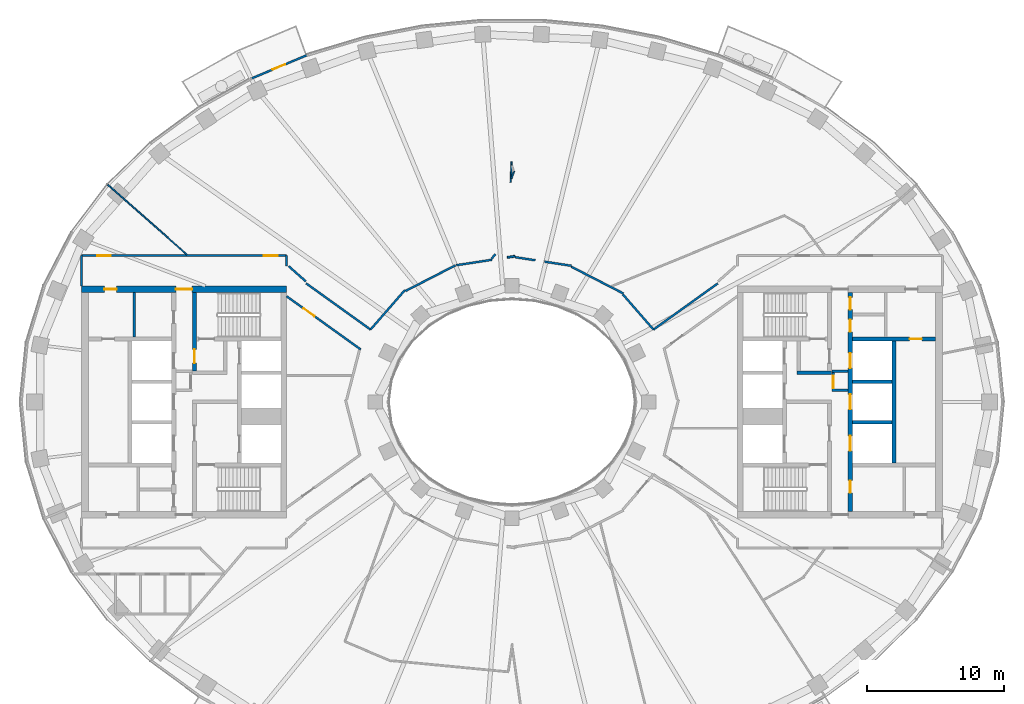
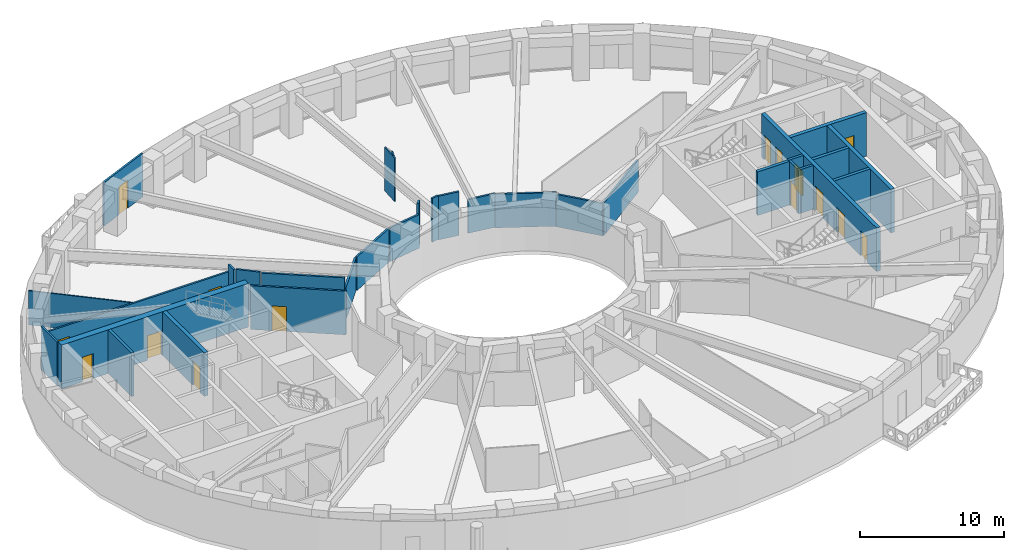
# One storey, part 6 of 15: 32 walls, 15 doors, 15 openings.
"""IFC4 building model written with IfcOpenShell, lengths in metres."""

from ifc_helpers import new_model, si_unit, direction, frame, frame_2d, origin, place, context, subcontext, project, spatial, rectangle, extrude, material, layer, layer_set, type_object, element, fill, save


model = new_model("IFC4")

# Units and contexts
model_context = context("Model", 3, precision=1e-05, world=origin(), true_north=direction((0.0, 1.0)))
body_context = subcontext(model_context, "Body", "Model", "MODEL_VIEW")
ifc_project = project(units=[si_unit("LENGTHUNIT", "METRE"), si_unit("AREAUNIT", "SQUARE_METRE"), si_unit("VOLUMEUNIT", "CUBIC_METRE"), si_unit("PLANEANGLEUNIT", "RADIAN"), si_unit("MASSUNIT", "GRAM", prefix="KILO")], contexts=[model_context])

# Site, building, storey
site_placement = place(None, origin())
site = spatial("IfcSite", under=ifc_project, at=site_placement, CompositionType="ELEMENT")
building_placement = place(site_placement, origin())
building = spatial("IfcBuilding", under=site, at=building_placement, Name="Noorbagh Ring Tower", CompositionType="ELEMENT")
storey_placement = place(building_placement, frame((0.0, 0.0, 182.0)))
storey = spatial("IfcBuildingStorey", under=building, at=storey_placement, Name="L42", CompositionType="ELEMENT", Elevation=182.0)

# Walls
ifc_material_1 = material(Name="Gypsum board on steel studs", Category="steel")
ifc_layer_1 = layer(ifc_material_1, 0.199951171875)
ifc_layer_set_1 = layer_set([ifc_layer_1], Name="Gypsum board on steel studs")
wall_type_1 = type_object("IfcWallType", Name="CORE-PARTITION-200", PredefinedType="PARTITIONING", material=ifc_layer_set_1)
wall_1_placement = place(storey_placement, frame((-27.64990234375, 4.75, 0.0), z_axis=(0.0, 0.0, 1.0), x_axis=(0.0, 1.0, 0.0)))
element("IfcWall", 1, at=wall_1_placement, inside=storey, type_object=wall_type_1, Name="Core partition W", PredefinedType="PARTITIONING", context=body_context, shape_type="SweptSolid", body=[
    extrude(rectangle(XDim=3.25, YDim=0.199951171875, at=frame_2d((1.625, 0.0))), origin(), (0.0, 0.0, 1.0), 3.699951171875),
])
for number, where, z_axis, x_axis, name in (
    (2, (23.39990234375, 0.85009765625, 0.0), (0.0, 0.0, 1.0), (1.0, 0.0, 0.0), "Core partition E"),
    (3, (23.39990234375, 2.25, 0.0), (0.0, 0.0, 1.0), (1.0, 0.0, 0.0), "Core partition E"),
):
    element("IfcWall", number, at=place(storey_placement, frame(where, z_axis=z_axis, x_axis=x_axis)), inside=storey, type_object=wall_type_1, Name=name, PredefinedType="PARTITIONING", context=body_context, shape_type="SweptSolid", body=[
        extrude(rectangle(XDim=1.2001953125, YDim=0.199951171875, at=frame_2d((0.60009765625, 0.0))), origin(), (0.0, 0.0, 1.0), 3.699951171875),
    ])

# Wall, opening, door
wall_2_placement = place(storey_placement, frame((23.5, 0.75, 0.0), z_axis=(0.0, 0.0, 1.0), x_axis=(0.0, 1.0, 0.0)))
wall_2 = element("IfcWall", 4, at=wall_2_placement, inside=storey, type_object=wall_type_1, Name="Core partition E", PredefinedType="PARTITIONING", context=body_context, shape_type="SweptSolid", body=[
    extrude(rectangle(XDim=1.60009765625, YDim=0.199951171875, at=frame_2d((0.800048828125, 0.0))), origin(), (0.0, 0.0, 1.0), 3.699951171875),
])
opening_1_placement = place(wall_2_placement, frame((0.25, 0.0, 0.0)))
opening_1 = element("IfcOpeningElement", 5, at=opening_1_placement, cuts=wall_2, Name="Opening L42-CE18", PredefinedType="OPENING", context=body_context, shape_type="SweptSolid", body=[
    extrude(rectangle(XDim=0.89990234375, YDim=2.10009765625, at=frame_2d((0.449951171875, 1.050048828125))), frame((0.0, 0.10986328125, 0.0), z_axis=(0.0, -1.0, 0.0), x_axis=(1.0, 0.0, 0.0)), (0.0, 0.0, 1.0), 0.219970703125),
])
ifc_material_2 = material(Name="Steel door leaf", Category="steel")
door_type_1 = type_object("IfcDoorType", Name="CORE-DOOR-DROOM", OperationType="SINGLE_SWING_LEFT", PredefinedType="DOOR", material=ifc_material_2)
door_1_placement = place(opening_1_placement, origin())
door_1 = element("IfcDoor", 6, at=door_1_placement, inside=storey, type_object=door_type_1, Name="Core room door L42-CE18", OperationType="SINGLE_SWING_LEFT", OverallHeight=2.10009765625, OverallWidth=0.89990234375, PredefinedType="DOOR", context=body_context, shape_type="SweptSolid", body=[
    extrude(rectangle(XDim=0.89990234375, YDim=2.10009765625, at=frame_2d((0.449951171875, 1.050048828125))), frame((0.0, 0.02490234375, 0.0), z_axis=(0.0, -1.0, 0.0), x_axis=(1.0, 0.0, 0.0)), (0.0, 0.0, 1.0), 0.050048828125),
])
fill(opening_1, door_1)

# Walls
ifc_material_3 = material(Name="Concrete C60/75", Category="concrete")
ifc_layer_2 = layer(ifc_material_3, 0.25)
ifc_layer_set_2 = layer_set([ifc_layer_2], Name="Concrete C60/75")
wall_type_2 = type_object("IfcWallType", Name="CORE-WALL-250-C60-75-EI120", PredefinedType="SHEAR", material=ifc_layer_set_2)
for number, where, z_axis, x_axis, name in (
    (7, (24.89990234375, -1.47509765625, 0.0), (0.0, 0.0, 1.0), (1.0, 0.0, 0.0), "Core wall E"),
    (8, (24.89990234375, 1.47509765625, 0.0), (0.0, 0.0, 1.0), (1.0, 0.0, 0.0), "Core wall E"),
):
    element("IfcWall", number, at=place(storey_placement, frame(where, z_axis=z_axis, x_axis=x_axis)), inside=storey, type_object=wall_type_2, Name=name, PredefinedType="SHEAR", context=body_context, shape_type="SweptSolid", body=[
        extrude(rectangle(XDim=2.900146484375, YDim=0.25, at=frame_2d((1.4501953125, 0.0))), origin(), (0.0, 0.0, 1.0), 3.699951171875),
    ])
ifc_material_4 = material(Name="Concrete C60/75", Category="concrete")
ifc_layer_3 = layer(ifc_material_4, 0.25)
ifc_layer_set_3 = layer_set([ifc_layer_3], Name="Concrete C60/75")
wall_type_3 = type_object("IfcWallType", Name="CORE-WALL-250-C60-75-EI240", PredefinedType="SHEAR", material=ifc_layer_set_3)
wall_3_placement = place(storey_placement, frame((20.85009765625, 2.125, 0.0), z_axis=(0.0, 0.0, 1.0), x_axis=(1.0, 0.0, 0.0)))
element("IfcWall", 9, at=wall_3_placement, inside=storey, type_object=wall_type_3, Name="Core wall E", PredefinedType="SHEAR", context=body_context, shape_type="SweptSolid", body=[
    extrude(rectangle(XDim=2.52978515625, YDim=0.25, at=frame_2d((1.264892578125, 0.0))), origin(), (0.0, 0.0, 1.0), 3.699951171875),
])
ifc_material_5 = material(Name="Concrete C60/75", Category="concrete")
ifc_layer_4 = layer(ifc_material_5, 0.300048828125)
ifc_layer_set_4 = layer_set([ifc_layer_4], Name="Concrete C60/75")
wall_type_4 = type_object("IfcWallType", Name="CORE-WALL-300-C60-75-EI120", PredefinedType="SHEAR", material=ifc_layer_set_4)
wall_4_placement = place(storey_placement, frame((27.949951171875, -4.449951171875, 0.0), z_axis=(0.0, 0.0, 1.0), x_axis=(0.0, 1.0, 0.0)))
element("IfcWall", 10, at=wall_4_placement, inside=storey, type_object=wall_type_4, Name="Core wall E", PredefinedType="SHEAR", context=body_context, shape_type="SweptSolid", body=[
    extrude(rectangle(XDim=8.89990234375, YDim=0.300048828125, at=frame_2d((4.449951171875, 0.0))), origin(), (0.0, 0.0, 1.0), 3.699951171875),
])

# Wall, openings, doors
wall_5_placement = place(storey_placement, frame((24.75, -8.0, 0.0), z_axis=(0.0, 0.0, 1.0), x_axis=(0.0, 1.0, 0.0)))
wall_5 = element("IfcWall", 11, at=wall_5_placement, inside=storey, type_object=wall_type_4, Name="Core wall E", PredefinedType="SHEAR", context=body_context, shape_type="SweptSolid", body=[
    extrude(rectangle(XDim=16.0, YDim=0.300048828125, at=frame_2d((8.0, 0.0))), origin(), (0.0, 0.0, 1.0), 3.699951171875),
])
opening_2_placement = place(wall_5_placement, frame((4.425048828125, 0.0, 0.0)))
opening_2 = element("IfcOpeningElement", 12, at=opening_2_placement, cuts=wall_5, Name="Opening L42-CE04", PredefinedType="OPENING", context=body_context, shape_type="SweptSolid", body=[
    extrude(rectangle(XDim=1.10009765625, YDim=2.10009765625, at=frame_2d((0.550048828125, 1.050048828125))), frame((0.0, 0.16015625, 0.0), z_axis=(0.0, -1.0, 0.0), x_axis=(1.0, 0.0, 0.0)), (0.0, 0.0, 1.0), 0.320068359375),
])
opening_3_placement = place(wall_5_placement, frame((7.449951171875, 0.0, 0.0)))
opening_3 = element("IfcOpeningElement", 13, at=opening_3_placement, cuts=wall_5, Name="Opening L42-CE05", PredefinedType="OPENING", context=body_context, shape_type="SweptSolid", body=[
    extrude(rectangle(XDim=1.10009765625, YDim=2.10009765625, at=frame_2d((0.550048828125, 1.050048828125))), frame((0.0, 0.16015625, 0.0), z_axis=(0.0, -1.0, 0.0), x_axis=(1.0, 0.0, 0.0)), (0.0, 0.0, 1.0), 0.320068359375),
])
opening_4_placement = place(wall_5_placement, frame((10.47509765625, 0.0, 0.0)))
opening_4 = element("IfcOpeningElement", 14, at=opening_4_placement, cuts=wall_5, Name="Opening L42-CE06", PredefinedType="OPENING", context=body_context, shape_type="SweptSolid", body=[
    extrude(rectangle(XDim=1.10009765625, YDim=2.10009765625, at=frame_2d((0.550048828125, 1.050048828125))), frame((0.0, 0.16015625, 0.0), z_axis=(0.0, -1.0, 0.0), x_axis=(1.0, 0.0, 0.0)), (0.0, 0.0, 1.0), 0.320068359375),
])
opening_5_placement = place(wall_5_placement, frame((13.125, 0.0, 0.0)))
opening_5 = element("IfcOpeningElement", 15, at=opening_5_placement, cuts=wall_5, Name="Opening L42-CE13", PredefinedType="OPENING", context=body_context, shape_type="SweptSolid", body=[
    extrude(rectangle(XDim=0.89990234375, YDim=2.10009765625, at=frame_2d((0.449951171875, 1.050048828125))), frame((0.0, 0.16015625, 0.0), z_axis=(0.0, -1.0, 0.0), x_axis=(1.0, 0.0, 0.0)), (0.0, 0.0, 1.0), 0.320068359375),
])
opening_6_placement = place(wall_5_placement, frame((14.75, 0.0, 0.0)))
opening_6 = element("IfcOpeningElement", 16, at=opening_6_placement, cuts=wall_5, Name="Opening L42-CE14", PredefinedType="OPENING", context=body_context, shape_type="SweptSolid", body=[
    extrude(rectangle(XDim=0.89990234375, YDim=2.10009765625, at=frame_2d((0.449951171875, 1.050048828125))), frame((0.0, 0.16015625, 0.0), z_axis=(0.0, -1.0, 0.0), x_axis=(1.0, 0.0, 0.0)), (0.0, 0.0, 1.0), 0.320068359375),
])
opening_7_placement = place(wall_5_placement, frame((1.35009765625, 0.0, 0.0)))
opening_7 = element("IfcOpeningElement", 17, at=opening_7_placement, cuts=wall_5, Name="Opening L42-CE16", PredefinedType="OPENING", context=body_context, shape_type="SweptSolid", body=[
    extrude(rectangle(XDim=0.89990234375, YDim=2.10009765625, at=frame_2d((0.449951171875, 1.050048828125))), frame((0.0, 0.16015625, 0.0), z_axis=(0.0, -1.0, 0.0), x_axis=(1.0, 0.0, 0.0)), (0.0, 0.0, 1.0), 0.320068359375),
])
door_2_placement = place(opening_5_placement, origin())
door_2 = element("IfcDoor", 18, at=door_2_placement, inside=storey, type_object=door_type_1, Name="Core room door L42-CE13", OperationType="SINGLE_SWING_RIGHT", OverallHeight=2.10009765625, OverallWidth=0.89990234375, PredefinedType="DOOR", context=body_context, shape_type="SweptSolid", body=[
    extrude(rectangle(XDim=0.89990234375, YDim=2.10009765625, at=frame_2d((0.449951171875, 1.050048828125))), frame((0.0, 0.02490234375, 0.0), z_axis=(0.0, -1.0, 0.0), x_axis=(1.0, 0.0, 0.0)), (0.0, 0.0, 1.0), 0.050048828125),
])
fill(opening_5, door_2)
door_3_placement = place(opening_6_placement, origin())
door_3 = element("IfcDoor", 19, at=door_3_placement, inside=storey, type_object=door_type_1, Name="Core room door L42-CE14", OperationType="SINGLE_SWING_LEFT", OverallHeight=2.10009765625, OverallWidth=0.89990234375, PredefinedType="DOOR", context=body_context, shape_type="SweptSolid", body=[
    extrude(rectangle(XDim=0.89990234375, YDim=2.10009765625, at=frame_2d((0.449951171875, 1.050048828125))), frame((0.0, 0.02490234375, 0.0), z_axis=(0.0, -1.0, 0.0), x_axis=(1.0, 0.0, 0.0)), (0.0, 0.0, 1.0), 0.050048828125),
])
fill(opening_6, door_3)
door_4_placement = place(opening_7_placement, origin())
door_4 = element("IfcDoor", 20, at=door_4_placement, inside=storey, type_object=door_type_1, Name="Core room door L42-CE16", OperationType="SINGLE_SWING_RIGHT", OverallHeight=2.10009765625, OverallWidth=0.89990234375, PredefinedType="DOOR", context=body_context, shape_type="SweptSolid", body=[
    extrude(rectangle(XDim=0.89990234375, YDim=2.10009765625, at=frame_2d((0.449951171875, 1.050048828125))), frame((0.0, 0.02490234375, 0.0), z_axis=(0.0, -1.0, 0.0), x_axis=(1.0, 0.0, 0.0)), (0.0, 0.0, 1.0), 0.050048828125),
])
fill(opening_7, door_4)
ifc_material_6 = material(Name="Steel door leaf", Category="steel")
door_type_2 = type_object("IfcDoorType", Name="CORE-DOOR-LD", OperationType="DOUBLE_DOOR_SLIDING", PredefinedType="DOOR", material=ifc_material_6)
door_5_placement = place(opening_2_placement, origin())
door_5 = element("IfcDoor", 21, at=door_5_placement, inside=storey, type_object=door_type_2, Name="Landing door HR9 L42-CE04", OperationType="DOUBLE_DOOR_SLIDING", OverallHeight=2.10009765625, OverallWidth=1.10009765625, PredefinedType="DOOR", context=body_context, shape_type="SweptSolid", body=[
    extrude(rectangle(XDim=1.10009765625, YDim=2.10009765625, at=frame_2d((0.550048828125, 1.050048828125))), frame((0.0, 0.02490234375, 0.0), z_axis=(0.0, -1.0, 0.0), x_axis=(1.0, 0.0, 0.0)), (0.0, 0.0, 1.0), 0.050048828125),
])
fill(opening_2, door_5)
door_6_placement = place(opening_3_placement, origin())
door_6 = element("IfcDoor", 22, at=door_6_placement, inside=storey, type_object=door_type_2, Name="Landing door HR10 L42-CE05", OperationType="DOUBLE_DOOR_SLIDING", OverallHeight=2.10009765625, OverallWidth=1.10009765625, PredefinedType="DOOR", context=body_context, shape_type="SweptSolid", body=[
    extrude(rectangle(XDim=1.10009765625, YDim=2.10009765625, at=frame_2d((0.550048828125, 1.050048828125))), frame((0.0, 0.02490234375, 0.0), z_axis=(0.0, -1.0, 0.0), x_axis=(1.0, 0.0, 0.0)), (0.0, 0.0, 1.0), 0.050048828125),
])
fill(opening_3, door_6)
door_7_placement = place(opening_4_placement, origin())
door_7 = element("IfcDoor", 23, at=door_7_placement, inside=storey, type_object=door_type_2, Name="Landing door HR11 L42-CE06", OperationType="DOUBLE_DOOR_SLIDING", OverallHeight=2.10009765625, OverallWidth=1.10009765625, PredefinedType="DOOR", context=body_context, shape_type="SweptSolid", body=[
    extrude(rectangle(XDim=1.10009765625, YDim=2.10009765625, at=frame_2d((0.550048828125, 1.050048828125))), frame((0.0, 0.02490234375, 0.0), z_axis=(0.0, -1.0, 0.0), x_axis=(1.0, 0.0, 0.0)), (0.0, 0.0, 1.0), 0.050048828125),
])
fill(opening_4, door_7)

# Wall, opening, door
ifc_material_7 = material(Name="Concrete C60/75", Category="concrete")
ifc_layer_5 = layer(ifc_material_7, 0.300048828125)
ifc_layer_set_5 = layer_set([ifc_layer_5], Name="Concrete C60/75")
wall_type_5 = type_object("IfcWallType", Name="CORE-WALL-300-C60-75-EI240", PredefinedType="SHEAR", material=ifc_layer_set_5)
wall_6_placement = place(storey_placement, frame((-23.22998046875, 2.25, 0.0), z_axis=(0.0, 0.0, 1.0), x_axis=(0.0, 1.0, 0.0)))
wall_6 = element("IfcWall", 24, at=wall_6_placement, inside=storey, type_object=wall_type_5, Name="Core wall W", PredefinedType="SHEAR", context=body_context, shape_type="SweptSolid", body=[
    extrude(rectangle(XDim=5.75, YDim=0.300048828125, at=frame_2d((2.875, 0.0))), origin(), (0.0, 0.0, 1.0), 3.699951171875),
])
opening_8_placement = place(wall_6_placement, frame((0.60009765625, 0.0, 0.0)))
opening_8 = element("IfcOpeningElement", 25, at=opening_8_placement, cuts=wall_6, Name="Opening L42-CW09", PredefinedType="OPENING", context=body_context, shape_type="SweptSolid", body=[
    extrude(rectangle(XDim=1.0, YDim=2.10009765625, at=frame_2d((0.5, 1.050048828125))), frame((0.0, 0.16015625, 0.0), z_axis=(0.0, -1.0, 0.0), x_axis=(1.0, 0.0, 0.0)), (0.0, 0.0, 1.0), 0.320068359375),
])
ifc_material_8 = material(Name="Steel door leaf", Category="steel")
door_type_3 = type_object("IfcDoorType", Name="CORE-DOOR-DVEST", OperationType="SINGLE_SWING_LEFT", PredefinedType="DOOR", material=ifc_material_8)
door_8_placement = place(opening_8_placement, origin())
door_8 = element("IfcDoor", 26, at=door_8_placement, inside=storey, type_object=door_type_3, Name="Stair vestibule door L42-CW09", OperationType="SINGLE_SWING_LEFT", OverallHeight=2.10009765625, OverallWidth=1.0, PredefinedType="DOOR", context=body_context, shape_type="SweptSolid", body=[
    extrude(rectangle(XDim=1.0, YDim=2.10009765625, at=frame_2d((0.5, 1.050048828125))), frame((0.0, 0.02490234375, 0.0), z_axis=(0.0, -1.0, 0.0), x_axis=(1.0, 0.0, 0.0)), (0.0, 0.0, 1.0), 0.050048828125),
])
fill(opening_8, door_8)

wall_7_placement = place(storey_placement, frame((24.89990234375, 4.60009765625, 0.0), z_axis=(0.0, 0.0, 1.0), x_axis=(1.0, 0.0, 0.0)))
wall_7 = element("IfcWall", 27, at=wall_7_placement, inside=storey, type_object=wall_type_5, Name="Core wall E", PredefinedType="SHEAR", context=body_context, shape_type="SweptSolid", body=[
    extrude(rectangle(XDim=6.10009765625, YDim=0.300048828125, at=frame_2d((3.050048828125, 0.0))), origin(), (0.0, 0.0, 1.0), 3.699951171875),
])
opening_9_placement = place(wall_7_placement, frame((4.199951171875, 0.0, 0.0)))
opening_9 = element("IfcOpeningElement", 28, at=opening_9_placement, cuts=wall_7, Name="Opening L42-CE19", PredefinedType="OPENING", context=body_context, shape_type="SweptSolid", body=[
    extrude(rectangle(XDim=0.89990234375, YDim=2.10009765625, at=frame_2d((0.449951171875, 1.050048828125))), frame((0.0, 0.16015625, 0.0), z_axis=(0.0, -1.0, 0.0), x_axis=(1.0, 0.0, 0.0)), (0.0, 0.0, 1.0), 0.320068359375),
])
door_9_placement = place(opening_9_placement, origin())
door_9 = element("IfcDoor", 29, at=door_9_placement, inside=storey, type_object=door_type_1, Name="Core room door L42-CE19", OperationType="SINGLE_SWING_RIGHT", OverallHeight=2.10009765625, OverallWidth=0.89990234375, PredefinedType="DOOR", context=body_context, shape_type="SweptSolid", body=[
    extrude(rectangle(XDim=0.89990234375, YDim=2.10009765625, at=frame_2d((0.449951171875, 1.050048828125))), frame((0.0, 0.02490234375, 0.0), z_axis=(0.0, -1.0, 0.0), x_axis=(1.0, 0.0, 0.0)), (0.0, 0.0, 1.0), 0.050048828125),
])
fill(opening_9, door_9)

# Wall, openings, doors
ifc_material_9 = material(Name="Concrete C60/75", Category="concrete")
ifc_layer_6 = layer(ifc_material_9, 0.5)
ifc_layer_set_6 = layer_set([ifc_layer_6], Name="Concrete C60/75")
wall_type_6 = type_object("IfcWallType", Name="CORE-WALL-500-C60-75-EI240", PredefinedType="SHEAR", material=ifc_layer_set_6)
wall_8_placement = place(storey_placement, frame((-16.5, 8.25, 0.0), z_axis=(0.0, 0.0, 1.0), x_axis=(-1.0, 0.0, 0.0)))
wall_8 = element("IfcWall", 30, at=wall_8_placement, inside=storey, type_object=wall_type_6, Name="Core wall W", PredefinedType="SHEAR", context=body_context, shape_type="SweptSolid", body=[
    extrude(rectangle(XDim=15.0, YDim=0.5, at=frame_2d((7.5, 0.0))), origin(), (0.0, 0.0, 1.0), 3.699951171875),
])
opening_10_placement = place(wall_8_placement, frame((6.89990234375, 0.0, 0.0)))
opening_10 = element("IfcOpeningElement", 31, at=opening_10_placement, cuts=wall_8, Name="Opening L42-CW10", PredefinedType="OPENING", context=body_context, shape_type="SweptSolid", body=[
    extrude(rectangle(XDim=1.199951171875, YDim=2.10009765625, at=frame_2d((0.60009765625, 1.050048828125))), frame((0.0, 0.260009765625, 0.0), z_axis=(0.0, -1.0, 0.0), x_axis=(1.0, 0.0, 0.0)), (0.0, 0.0, 1.0), 0.52001953125),
])
opening_11_placement = place(wall_8_placement, frame((12.425048828125, 0.0, 0.0)))
opening_11 = element("IfcOpeningElement", 32, at=opening_11_placement, cuts=wall_8, Name="Opening L42-CW13", PredefinedType="OPENING", context=body_context, shape_type="SweptSolid", body=[
    extrude(rectangle(XDim=0.89990234375, YDim=2.10009765625, at=frame_2d((0.449951171875, 1.050048828125))), frame((0.0, 0.260009765625, 0.0), z_axis=(0.0, -1.0, 0.0), x_axis=(1.0, 0.0, 0.0)), (0.0, 0.0, 1.0), 0.52001953125),
])
door_10_placement = place(opening_11_placement, origin())
door_10 = element("IfcDoor", 33, at=door_10_placement, inside=storey, type_object=door_type_1, Name="Core room door L42-CW13", OperationType="SINGLE_SWING_RIGHT", OverallHeight=2.10009765625, OverallWidth=0.89990234375, PredefinedType="DOOR", context=body_context, shape_type="SweptSolid", body=[
    extrude(rectangle(XDim=0.89990234375, YDim=2.10009765625, at=frame_2d((0.449951171875, 1.050048828125))), frame((0.0, 0.02490234375, 0.0), z_axis=(0.0, -1.0, 0.0), x_axis=(1.0, 0.0, 0.0)), (0.0, 0.0, 1.0), 0.050048828125),
])
fill(opening_11, door_10)
ifc_material_10 = material(Name="Steel door leaf", Category="steel")
door_type_4 = type_object("IfcDoorType", Name="CORE-DOOR-PORT", OperationType="DOUBLE_DOOR_DOUBLE_SWING", PredefinedType="DOOR", material=ifc_material_10)
door_11_placement = place(opening_10_placement, origin())
door_11 = element("IfcDoor", 34, at=door_11_placement, inside=storey, type_object=door_type_4, Name="Core entrance door L42-CW10", OperationType="DOUBLE_DOOR_DOUBLE_SWING", OverallHeight=2.10009765625, OverallWidth=1.199951171875, PredefinedType="DOOR", context=body_context, shape_type="SweptSolid", body=[
    extrude(rectangle(XDim=1.199951171875, YDim=2.10009765625, at=frame_2d((0.60009765625, 1.050048828125))), frame((0.0, 0.02490234375, 0.0), z_axis=(0.0, -1.0, 0.0), x_axis=(1.0, 0.0, 0.0)), (0.0, 0.0, 1.0), 0.050048828125),
])
fill(opening_10, door_11)

# Wall
ifc_material_11 = material(Name="Gypsum board on steel studs", Category="steel")
ifc_layer_7 = layer(ifc_material_11, 0.14990234375)
ifc_layer_set_7 = layer_set([ifc_layer_7], Name="Gypsum board on steel studs")
wall_type_7 = type_object("IfcWallType", Name="CORRIDOR PARTITION 150 EI 30", PredefinedType="PARTITIONING", material=ifc_layer_set_7)
wall_9_placement = place(storey_placement, frame((-31.5, 8.5, 0.0), z_axis=(0.0, 0.0, 1.0), x_axis=(0.0, 1.0, 0.0)))
element("IfcWall", 35, at=wall_9_placement, inside=storey, type_object=wall_type_7, Name="L42/wall/P05", PredefinedType="PARTITIONING", context=body_context, shape_type="SweptSolid", body=[
    extrude(rectangle(XDim=2.199951171875, YDim=0.14990234375, at=frame_2d((1.10009765625, 0.0))), origin(), (0.0, 0.0, 1.0), 3.699951171875),
])

# Wall, openings, doors
wall_10_placement = place(storey_placement, frame((-31.5, 10.699951171875, 0.0), z_axis=(0.0, 0.0, 1.0), x_axis=(1.0, 0.0, 0.0)))
wall_10 = element("IfcWall", 36, at=wall_10_placement, inside=storey, type_object=wall_type_7, Name="L42/wall/P06", PredefinedType="PARTITIONING", context=body_context, shape_type="SweptSolid", body=[
    extrude(rectangle(XDim=15.0, YDim=0.14990234375, at=frame_2d((7.5, 0.0))), origin(), (0.0, 0.0, 1.0), 3.10009765625),
])
opening_12_placement = place(wall_10_placement, frame((1.153076171875, 0.0, 0.0)))
opening_12 = element("IfcOpeningElement", 37, at=opening_12_placement, cuts=wall_10, Name="Opening D1", PredefinedType="OPENING", context=body_context, shape_type="SweptSolid", body=[
    extrude(rectangle(XDim=1.0, YDim=2.10009765625, at=frame_2d((0.5, 1.050048828125))), frame((0.0, 0.0849609375, 0.0), z_axis=(0.0, -1.0, 0.0), x_axis=(1.0, 0.0, 0.0)), (0.0, 0.0, 1.0), 0.169921875),
])
opening_13_placement = place(wall_10_placement, frame((13.35009765625, 0.0, 0.0)))
opening_13 = element("IfcOpeningElement", 38, at=opening_13_placement, cuts=wall_10, Name="Opening D1", PredefinedType="OPENING", context=body_context, shape_type="SweptSolid", body=[
    extrude(rectangle(XDim=1.0, YDim=2.10009765625, at=frame_2d((0.5, 1.050048828125))), frame((0.0, 0.0849609375, 0.0), z_axis=(0.0, -1.0, 0.0), x_axis=(1.0, 0.0, 0.0)), (0.0, 0.0, 1.0), 0.169921875),
])
ifc_material_12 = material(Name="Timber, painted", Category="wood")
door_type_5 = type_object("IfcDoorType", Name="DOOR 1000 X 2100 FD30", OperationType="SINGLE_SWING_LEFT", PredefinedType="DOOR", material=ifc_material_12)
door_12_placement = place(opening_12_placement, origin())
door_12 = element("IfcDoor", 39, at=door_12_placement, inside=storey, type_object=door_type_5, Name="L42-D06", OperationType="SINGLE_SWING_RIGHT", OverallHeight=2.10009765625, OverallWidth=1.0, PredefinedType="DOOR", context=body_context, shape_type="SweptSolid", body=[
    extrude(rectangle(XDim=1.0, YDim=2.10009765625, at=frame_2d((0.5, 1.050048828125))), frame((0.0, 0.02490234375, 0.0), z_axis=(0.0, -1.0, 0.0), x_axis=(1.0, 0.0, 0.0)), (0.0, 0.0, 1.0), 0.050048828125),
])
fill(opening_12, door_12)
door_13_placement = place(opening_13_placement, origin())
door_13 = element("IfcDoor", 40, at=door_13_placement, inside=storey, type_object=door_type_5, Name="L42-D07", OperationType="SINGLE_SWING_LEFT", OverallHeight=2.10009765625, OverallWidth=1.0, PredefinedType="DOOR", context=body_context, shape_type="SweptSolid", body=[
    extrude(rectangle(XDim=1.0, YDim=2.10009765625, at=frame_2d((0.5, 1.050048828125))), frame((0.0, 0.02490234375, 0.0), z_axis=(0.0, -1.0, 0.0), x_axis=(1.0, 0.0, 0.0)), (0.0, 0.0, 1.0), 0.050048828125),
])
fill(opening_13, door_13)

# Wall
wall_11_placement = place(storey_placement, frame((-16.5, 9.964111328125, 0.0), z_axis=(0.0, 0.0, 1.0), x_axis=(0.0, 1.0, 0.0)))
element("IfcWall", 41, at=wall_11_placement, inside=storey, type_object=wall_type_7, Name="L42/wall/P21", PredefinedType="PARTITIONING", context=body_context, shape_type="SweptSolid", body=[
    extrude(rectangle(XDim=0.73583984375, YDim=0.14990234375, at=frame_2d((0.367919921875, 0.0))), origin(), (0.0, 0.0, 1.0), 3.699951171875),
])

# Wall, opening, door
wall_12_placement = place(storey_placement, frame((-16.5, 7.739013671875, 0.0), z_axis=(0.0, 0.0, 1.0), x_axis=(0.812415179651, -0.583079390712, 0.0)))
wall_12 = element("IfcWall", 42, at=wall_12_placement, inside=storey, type_object=wall_type_7, Name="L42/wall/P23", PredefinedType="PARTITIONING", context=body_context, shape_type="SweptSolid", body=[
    extrude(rectangle(XDim=6.68017578125, YDim=0.14990234375, at=frame_2d((3.340087890625, 0.0))), origin(), (0.0, 0.0, 1.0), 3.699951171875),
])
opening_14_placement = place(wall_12_placement, frame((1.519287109375, 0.0, 0.0)))
opening_14 = element("IfcOpeningElement", 43, at=opening_14_placement, cuts=wall_12, Name="Opening D1", PredefinedType="OPENING", context=body_context, shape_type="SweptSolid", body=[
    extrude(rectangle(XDim=1.0, YDim=2.10009765625, at=frame_2d((0.5, 1.050048828125))), frame((0.0, 0.0849609375, 0.0), z_axis=(0.0, -1.0, 0.0), x_axis=(1.0, 0.0, 0.0)), (0.0, 0.0, 1.0), 0.169921875),
])
door_14_placement = place(opening_14_placement, origin())
door_14 = element("IfcDoor", 44, at=door_14_placement, inside=storey, type_object=door_type_5, Name="L42-D17", OperationType="SINGLE_SWING_LEFT", OverallHeight=2.10009765625, OverallWidth=1.0, PredefinedType="DOOR", context=body_context, shape_type="SweptSolid", body=[
    extrude(rectangle(XDim=1.0, YDim=2.10009765625, at=frame_2d((0.5, 1.050048828125))), frame((0.0, 0.02490234375, 0.0), z_axis=(0.0, -1.0, 0.0), x_axis=(1.0, 0.0, 0.0)), (0.0, 0.0, 1.0), 0.050048828125),
])
fill(opening_14, door_14)

# Walls
wall_13_placement = place(storey_placement, frame((-15.06201171875, 8.676025390625, 0.0), z_axis=(0.0, 0.0, 1.0), x_axis=(0.812494026232, -0.582969516645, 0.0)))
element("IfcWall", 45, at=wall_13_placement, inside=storey, type_object=wall_type_7, Name="L42/wall/P25", PredefinedType="PARTITIONING", context=body_context, shape_type="SweptSolid", body=[
    extrude(rectangle(XDim=5.798095703125, YDim=0.14990234375, at=frame_2d((2.89892578125, 0.0))), origin(), (0.0, 0.0, 1.0), 3.699951171875),
])
wall_14_placement = place(storey_placement, frame((-10.35107421875, 5.2958984375, 0.0), z_axis=(0.0, 0.0, 1.0), x_axis=(0.656297424411, 0.754502280124, 0.0)))
element("IfcWall", 46, at=wall_14_placement, inside=storey, type_object=wall_type_7, Name="L42/wall/P31", PredefinedType="PARTITIONING", context=body_context, shape_type="SweptSolid", body=[
    extrude(rectangle(XDim=3.818603515625, YDim=0.14990234375, at=frame_2d((1.9091796875, 0.0))), origin(), (0.0, 0.0, 1.0), 2.75),
])
wall_15_placement = place(storey_placement, frame((-7.798095703125, 8.115966796875, 0.0), z_axis=(0.0, 0.0, 1.0), x_axis=(0.889316815645, 0.457291593418, 0.0)))
element("IfcWall", 47, at=wall_15_placement, inside=storey, type_object=wall_type_7, Name="L42/wall/P34", PredefinedType="PARTITIONING", context=body_context, shape_type="SweptSolid", body=[
    extrude(rectangle(XDim=4.106689453125, YDim=0.14990234375, at=frame_2d((2.05322265625, 0.0))), origin(), (0.0, 0.0, 1.0), 2.85009765625),
])
wall_16_placement = place(storey_placement, frame((-4.074951171875, 10.00390625, 0.0), z_axis=(0.0, 0.0, 1.0), x_axis=(0.988449601448, 0.151549943571, 0.0)))
element("IfcWall", 48, at=wall_16_placement, inside=storey, type_object=wall_type_7, Name="L42/wall/P36", PredefinedType="PARTITIONING", context=body_context, shape_type="SweptSolid", body=[
    extrude(rectangle(XDim=2.640380859375, YDim=0.14990234375, at=frame_2d((1.3203125, 0.0))), origin(), (0.0, 0.0, 1.0), 2.85009765625),
])
wall_17_placement = place(storey_placement, frame((-1.50390625, 10.47412109375, 0.0), z_axis=(0.0, 0.0, 1.0), x_axis=(0.646114775059, 0.763240261942, 0.0)))
element("IfcWall", 49, at=wall_17_placement, inside=storey, type_object=wall_type_7, Name="L42/wall/P37", PredefinedType="PARTITIONING", context=body_context, shape_type="SweptSolid", body=[
    extrude(rectangle(XDim=0.444091796875, YDim=0.14990234375, at=frame_2d((0.22216796875, 0.0))), origin(), (0.0, 0.0, 1.0), 3.699951171875),
])
wall_18_placement = place(storey_placement, frame((-0.339111328125, 10.576904296875, 0.0), z_axis=(0.0, 0.0, 1.0), x_axis=(0.988583405182, 0.150674652806, 0.0)))
element("IfcWall", 50, at=wall_18_placement, inside=storey, type_object=wall_type_7, Name="L42/wall/P39", PredefinedType="PARTITIONING", context=body_context, shape_type="SweptSolid", body=[
    extrude(rectangle(XDim=0.557373046875, YDim=0.14990234375, at=frame_2d((0.27880859375, 0.0))), origin(), (0.0, 0.0, 1.0), 3.699951171875),
])
wall_19_placement = place(storey_placement, frame((0.2119140625, 10.596923828125, 0.0), z_axis=(0.0, 0.0, 1.0), x_axis=(0.988394154216, -0.15191114479, 0.0)))
element("IfcWall", 51, at=wall_19_placement, inside=storey, type_object=wall_type_7, Name="L42/wall/P46", PredefinedType="PARTITIONING", context=body_context, shape_type="SweptSolid", body=[
    extrude(rectangle(XDim=1.507568359375, YDim=0.14990234375, at=frame_2d((0.75390625, 0.0))), origin(), (0.0, 0.0, 1.0), 3.699951171875),
])
wall_20_placement = place(storey_placement, frame((2.376953125, 10.264892578125, 0.0), z_axis=(0.0, 0.0, 1.0), x_axis=(0.988505113573, -0.151187434797, 0.0)))
element("IfcWall", 52, at=wall_20_placement, inside=storey, type_object=wall_type_7, Name="L42/wall/P48", PredefinedType="PARTITIONING", context=body_context, shape_type="SweptSolid", body=[
    extrude(rectangle(XDim=2.00390625, YDim=0.14990234375, at=frame_2d((1.001953125, 0.0))), origin(), (0.0, 0.0, 1.0), 2.85009765625),
])
wall_21_placement = place(storey_placement, frame((4.3369140625, 9.89599609375, 0.0), z_axis=(0.0, 0.0, 1.0), x_axis=(0.889382211946, -0.457164391739, 0.0)))
element("IfcWall", 53, at=wall_21_placement, inside=storey, type_object=wall_type_7, Name="L42/wall/P50", PredefinedType="PARTITIONING", context=body_context, shape_type="SweptSolid", body=[
    extrude(rectangle(XDim=4.29638671875, YDim=0.14990234375, at=frame_2d((2.148193359375, 0.0))), origin(), (0.0, 0.0, 1.0), 2.85009765625),
])
wall_22_placement = place(storey_placement, frame((8.111083984375, 7.87109375, 0.0), z_axis=(0.0, 0.0, 1.0), x_axis=(0.656293818527, -0.754505416656, 0.0)))
element("IfcWall", 54, at=wall_22_placement, inside=storey, type_object=wall_type_7, Name="L42/wall/P54", PredefinedType="PARTITIONING", context=body_context, shape_type="SweptSolid", body=[
    extrude(rectangle(XDim=3.4130859375, YDim=0.14990234375, at=frame_2d((1.70654296875, 0.0))), origin(), (0.0, 0.0, 1.0), 2.75),
])
wall_23_placement = place(storey_placement, frame((10.35107421875, 5.2958984375, 0.0), z_axis=(0.0, 0.0, 1.0), x_axis=(0.812494026232, 0.582969516645, 0.0)))
element("IfcWall", 55, at=wall_23_placement, inside=storey, type_object=wall_type_7, Name="L42/wall/P56", PredefinedType="PARTITIONING", context=body_context, shape_type="SweptSolid", body=[
    extrude(rectangle(XDim=5.798095703125, YDim=0.14990234375, at=frame_2d((2.89892578125, 0.0))), origin(), (0.0, 0.0, 1.0), 2.75),
])
wall_24_placement = place(storey_placement, frame((-16.35205078125, 9.94189453125, 0.0), z_axis=(0.0, 0.0, 1.0), x_axis=(0.749107006374, -0.662449011624, 0.0)))
element("IfcWall", 56, at=wall_24_placement, inside=storey, type_object=wall_type_7, Name="L42/wall/P77", PredefinedType="PARTITIONING", context=body_context, shape_type="SweptSolid", body=[
    extrude(rectangle(XDim=1.6875, YDim=0.14990234375, at=frame_2d((0.84375, 0.0))), origin(), (0.0, 0.0, 1.0), 3.699951171875),
])

# Wall, opening, door
ifc_material_13 = material(Name="Insulated aluminium clad panel", Category="aluminium")
ifc_layer_8 = layer(ifc_material_13, 0.14990234375)
ifc_layer_set_8 = layer_set([ifc_layer_8], Name="Insulated aluminium clad panel")
wall_type_8 = type_object("IfcWallType", Name="ENV-WALL-DOOR", PredefinedType="STANDARD", material=ifc_layer_set_8)
wall_25_placement = place(storey_placement, frame((-15.017822265625, 25.368896484375, 0.0), z_axis=(0.0, 0.0, 1.0), x_axis=(-0.921816985161, -0.387625393736, 0.0)))
wall_25 = element("IfcWall", 57, at=wall_25_placement, inside=storey, type_object=wall_type_8, Name="Balcony door wall chord 16", PredefinedType="STANDARD", context=body_context, shape_type="SweptSolid", body=[
    extrude(rectangle(XDim=4.42578125, YDim=0.14990234375, at=frame_2d((2.212890625, 0.0))), origin(), (0.0, 0.0, 1.0), 3.699951171875),
])
opening_15_placement = place(wall_25_placement, frame((1.712890625, 0.0, 0.0)))
opening_15 = element("IfcOpeningElement", 58, at=opening_15_placement, cuts=wall_25, Name="Opening D-BL", PredefinedType="OPENING", context=body_context, shape_type="SweptSolid", body=[
    extrude(rectangle(XDim=1.0, YDim=2.39990234375, at=frame_2d((0.5, 1.199951171875))), frame((0.0, 0.0849609375, 0.0), z_axis=(0.0, -1.0, 0.0), x_axis=(1.0, 0.0, 0.0)), (0.0, 0.0, 1.0), 0.169921875),
])
ifc_material_14 = material(Name="Aluminium and glass", Category="aluminium")
door_type_6 = type_object("IfcDoorType", Name="ENV-DOOR-BALCONY", OperationType="SINGLE_SWING_LEFT", PredefinedType="DOOR", material=ifc_material_14)
door_15_placement = place(opening_15_placement, origin())
door_15 = element("IfcDoor", 59, at=door_15_placement, inside=storey, type_object=door_type_6, Name="Balcony door chord 16", OperationType="SINGLE_SWING_LEFT", OverallHeight=2.39990234375, OverallWidth=1.0, PredefinedType="DOOR", context=body_context, shape_type="SweptSolid", body=[
    extrude(rectangle(XDim=1.0, YDim=2.39990234375, at=frame_2d((0.5, 1.199951171875))), frame((0.0, 0.02490234375, 0.0), z_axis=(0.0, -1.0, 0.0), x_axis=(1.0, 0.0, 0.0)), (0.0, 0.0, 1.0), 0.050048828125),
])
fill(opening_15, door_15)

# Walls
ifc_material_15 = material(Name="Gypsum board on steel studs", Category="steel")
ifc_layer_9 = layer(ifc_material_15, 0.10009765625)
ifc_layer_set_9 = layer_set([ifc_layer_9], Name="Gypsum board on steel studs")
wall_type_9 = type_object("IfcWallType", Name="PARTITION 100 GYPSUM", PredefinedType="PARTITIONING", material=ifc_layer_set_9)
wall_26_placement = place(storey_placement, frame((-29.569091796875, 15.89501953125, 0.0), z_axis=(0.0, 0.0, 1.0), x_axis=(0.748985701008, -0.662586160198, 0.0)))
element("IfcWall", 60, at=wall_26_placement, inside=storey, type_object=wall_type_9, Name="L42/wall/P07", PredefinedType="PARTITIONING", context=body_context, shape_type="SweptSolid", body=[
    extrude(rectangle(XDim=7.72265625, YDim=0.10009765625, at=frame_2d((3.861328125, 0.0))), origin(), (0.0, 0.0, 1.0), 2.89990234375),
])
wall_27_placement = place(storey_placement, frame((-0.097900390625, 16.072998046875, 0.0), z_axis=(0.0, 0.0, 1.0), x_axis=(0.048185988923, 0.998838380556, 0.0)))
element("IfcWall", 61, at=wall_27_placement, inside=storey, type_object=wall_type_9, Name="L42/wall/P41", PredefinedType="PARTITIONING", context=body_context, shape_type="SweptSolid", body=[
    extrude(rectangle(XDim=1.49462890625, YDim=0.10009765625, at=frame_2d((0.747314453125, 0.0))), origin(), (0.0, 0.0, 1.0), 3.699951171875),
])
wall_28_placement = place(storey_placement, frame((-0.0419921875, 16.35009765625, 0.0), z_axis=(0.0, 0.0, 1.0), x_axis=(0.339445104011, 0.940625866837, 0.0)))
element("IfcWall", 62, at=wall_28_placement, inside=storey, type_object=wall_type_9, Name="L42/wall/P42", PredefinedType="PARTITIONING", context=body_context, shape_type="SweptSolid", body=[
    extrude(rectangle(XDim=0.57177734375, YDim=0.10009765625, at=frame_2d((0.285888671875, 0.0))), origin(), (0.0, 0.0, 1.0), 3.699951171875),
])

save(model, "model.ifc")
